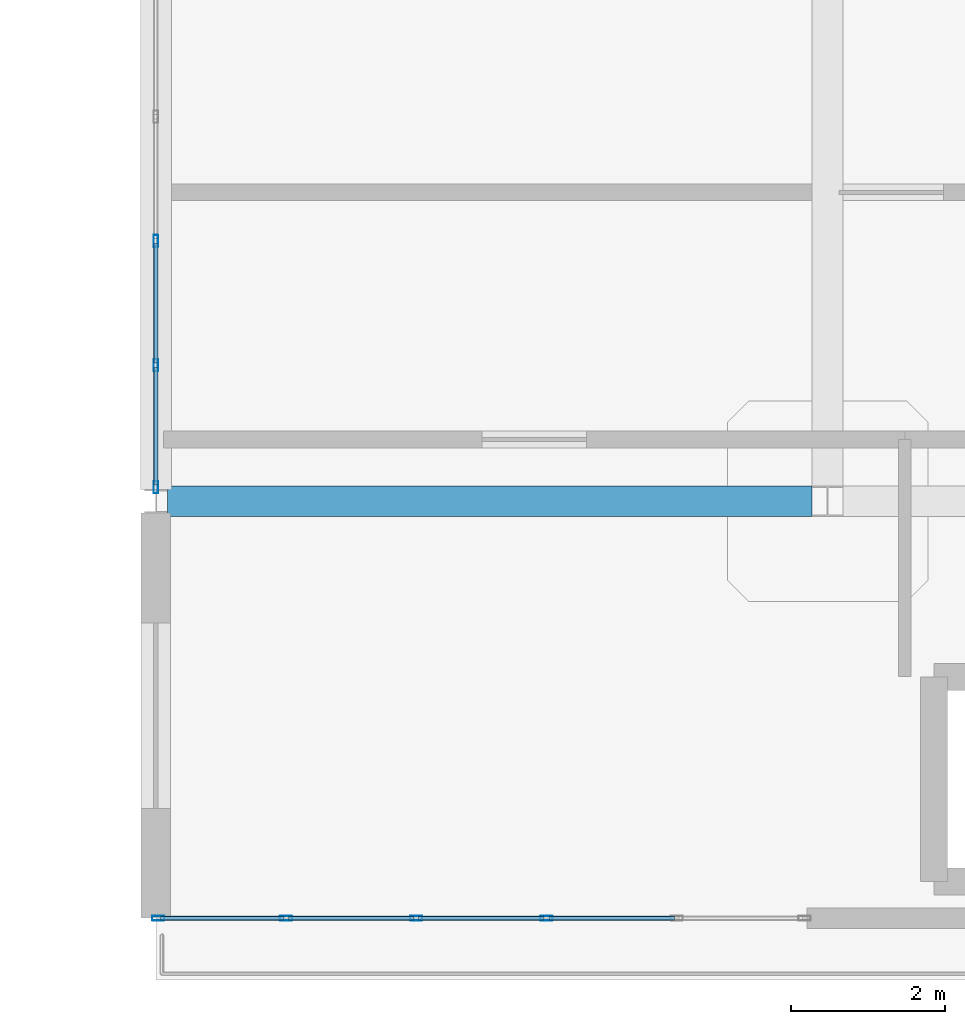
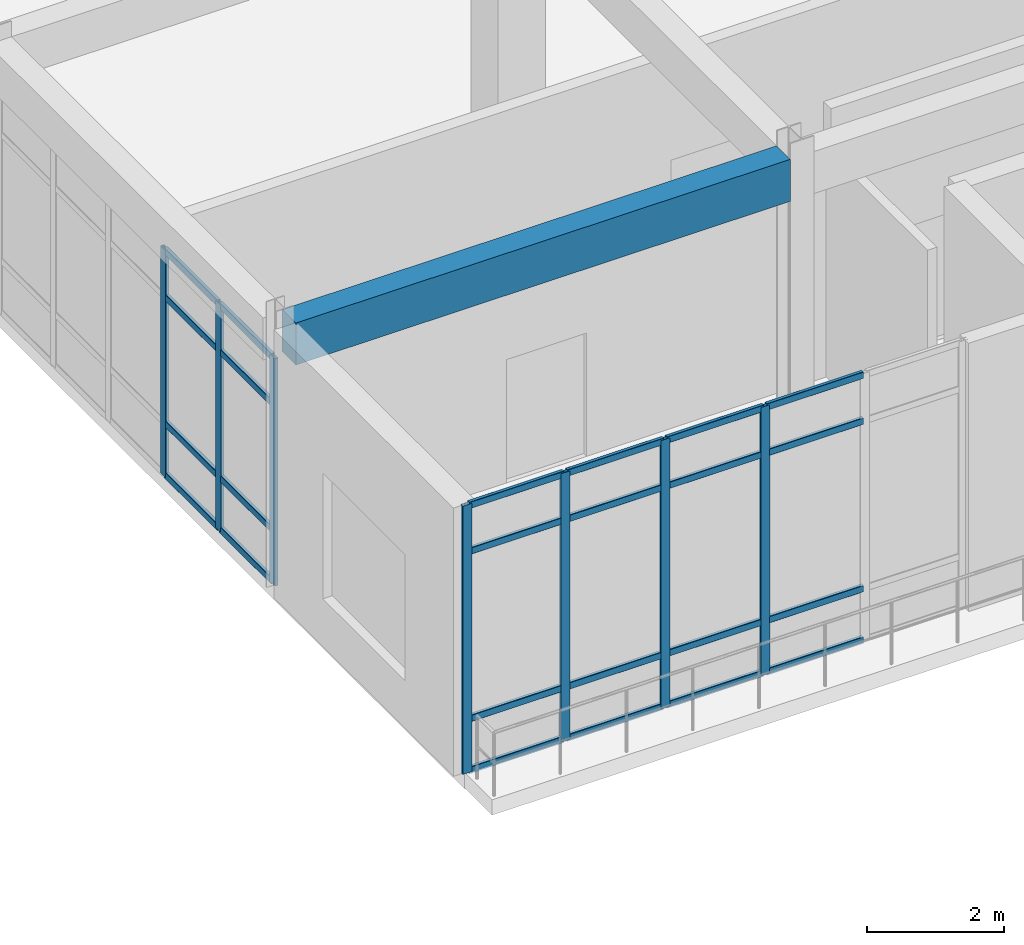
# One storey, part 32 of 96: 31 members, 1 beam, 2 elements without a shape of their own.
"""IFC4 building model written with IfcOpenShell, lengths in metres."""

from ifc_helpers import new_model, si_unit, derived_unit, direction, frame, origin, origin_2d, place, context, subcontext, project, spatial, rectangle, hollow_rectangle, extrude, material, layer, layer_set, material_profile, profile_set, type_object, element, aggregate, save


model = new_model("IFC4")

# Units and contexts
model_context = context("Model", 3, precision=1e-05, world=origin(), true_north=direction((0.0, 1.0)))
body_context = subcontext(model_context, "Body", "Model", "MODEL_VIEW")
ifc_project = project(units=[si_unit("LENGTHUNIT", "METRE"), si_unit("AREAUNIT", "SQUARE_METRE"), si_unit("VOLUMEUNIT", "CUBIC_METRE"), si_unit("PLANEANGLEUNIT", "RADIAN"), si_unit("MASSUNIT", "GRAM", prefix="KILO"), derived_unit("THERMALTRANSMITTANCEUNIT", [(si_unit("MASSUNIT", "GRAM", prefix="KILO"), 1), (si_unit("TIMEUNIT", "SECOND"), -3), (si_unit("THERMODYNAMICTEMPERATUREUNIT", "KELVIN"), -1)])], contexts=[model_context])

# Site, building, storey
site_placement = place(None, origin())
site = spatial("IfcSite", under=ifc_project, at=site_placement, CompositionType="ELEMENT")
building_placement = place(site_placement, origin())
building = spatial("IfcBuilding", under=site, at=building_placement, Name="Qinzheling Arcade Emporium", CompositionType="ELEMENT")
storey_placement = place(building_placement, frame((0.0, 0.0, 21.60009765625)))
storey = spatial("IfcBuildingStorey", under=building, at=storey_placement, Name="L05", CompositionType="ELEMENT", Elevation=21.60009765625)

# Curtain wall, members
ifc_material_1 = material(Name="Anodised aluminium and solar-control double glazing", Category="aluminium")
ifc_layer = layer(ifc_material_1, 0.159912109375, Name="Anodised aluminium and solar-control double glazing", Category="aluminium")
ifc_layer_set = layer_set([ifc_layer], Name="Anodised aluminium and solar-control double glazing")
curtain_wall_type = type_object("IfcCurtainWallType", Name="Food Hall Loggia Curtain Wall", PredefinedType="NOTDEFINED", material=ifc_layer_set)
curtain_wall_1_placement = place(storey_placement, origin())
curtain_wall_1 = element("IfcCurtainWall", 1, at=curtain_wall_1_placement, inside=storey, type_object=curtain_wall_type, Name="Curtain Wall CW-L05-294", PredefinedType="NOTDEFINED")
ifc_material_2 = material(Name="Anodised aluminium 6063-T6", Category="aluminium")
ifc_material_profile_1 = material_profile(ifc_material_2, hollow_rectangle(XDim=0.06005859375, YDim=0.159912109375, WallThickness=0.00390625, InnerFilletRadius=0.00390625, OuterFilletRadius=0.008056640625, at=origin_2d()), Name="RHS 160x60x4", Category="aluminium")
ifc_profile_set_1 = profile_set([ifc_material_profile_1], Name="Anodised aluminium 6063-T6")
member_type_1 = type_object("IfcMemberType", Name="Curtain Wall Mullion RHS160x60", PredefinedType="MULLION", material=ifc_profile_set_1)
member_1_placement = place(storey_placement, frame((126.858642578125, 3.0, 0.0), z_axis=(0.0, 0.0, 1.0), x_axis=(0.0, -1.0, 0.0)))
member_1 = element("IfcMember", 2, at=member_1_placement, type_object=member_type_1, Name="CW04 mullion 3", PredefinedType="MULLION", context=body_context, shape_type="SweptSolid", body=[
    extrude(hollow_rectangle(XDim=0.06005859375, YDim=0.159912109375, WallThickness=0.00390625, InnerFilletRadius=0.00390625, OuterFilletRadius=0.008056640625, at=origin_2d()), origin(), (0.0, 0.0, 1.0), 4.789794921875),
])
member_2_placement = place(storey_placement, frame((125.17236328125, 3.0, 0.0), z_axis=(0.0, 0.0, 1.0), x_axis=(0.0, -1.0, 0.0)))
member_2 = element("IfcMember", 3, at=member_2_placement, type_object=member_type_1, Name="CW04 mullion 4", PredefinedType="MULLION", context=body_context, shape_type="SweptSolid", body=[
    extrude(hollow_rectangle(XDim=0.06005859375, YDim=0.159912109375, WallThickness=0.00390625, InnerFilletRadius=0.00390625, OuterFilletRadius=0.008056640625, at=origin_2d()), origin(), (0.0, 0.0, 1.0), 4.789794921875),
])
member_3_placement = place(storey_placement, frame((123.486083984375, 3.0, 0.0), z_axis=(0.0, 0.0, 1.0), x_axis=(0.0, -1.0, 0.0)))
member_3 = element("IfcMember", 4, at=member_3_placement, type_object=member_type_1, Name="CW04 mullion 5", PredefinedType="MULLION", context=body_context, shape_type="SweptSolid", body=[
    extrude(hollow_rectangle(XDim=0.06005859375, YDim=0.159912109375, WallThickness=0.00390625, InnerFilletRadius=0.00390625, OuterFilletRadius=0.008056640625, at=origin_2d()), origin(), (0.0, 0.0, 1.0), 4.789794921875),
])
member_4_placement = place(storey_placement, frame((121.830078125, 3.0, 0.0), z_axis=(0.0, 0.0, 1.0), x_axis=(0.0, -1.0, 0.0)))
member_4 = element("IfcMember", 5, at=member_4_placement, type_object=member_type_1, Name="CW04 mullion 6", PredefinedType="MULLION", context=body_context, shape_type="SweptSolid", body=[
    extrude(hollow_rectangle(XDim=0.06005859375, YDim=0.159912109375, WallThickness=0.00390625, InnerFilletRadius=0.00390625, OuterFilletRadius=0.008056640625, at=origin_2d()), origin(), (0.0, 0.0, 1.0), 4.789794921875),
])

curtain_wall_2_placement = place(storey_placement, origin())
curtain_wall_2 = element("IfcCurtainWall", 6, at=curtain_wall_2_placement, inside=storey, type_object=curtain_wall_type, Name="Curtain Wall CW-L05-295", PredefinedType="NOTDEFINED")
member_5_placement = place(storey_placement, frame((121.800048828125, 8.58203125, 0.0), z_axis=(0.0, 0.0, 1.0), x_axis=(-1.0, 0.0, 0.0)))
member_5 = element("IfcMember", 7, at=member_5_placement, type_object=member_type_1, Name="CW04 mullion 1", PredefinedType="MULLION", context=body_context, shape_type="SweptSolid", body=[
    extrude(hollow_rectangle(XDim=0.06005859375, YDim=0.159912109375, WallThickness=0.00390625, InnerFilletRadius=0.00390625, OuterFilletRadius=0.008056640625, at=origin_2d()), origin(), (0.0, 0.0, 1.0), 4.054931640625),
])
member_6_placement = place(storey_placement, frame((121.800048828125, 10.1611328125, 0.0), z_axis=(0.0, 0.0, 1.0), x_axis=(-1.0, 0.0, 0.0)))
member_6 = element("IfcMember", 8, at=member_6_placement, type_object=member_type_1, Name="CW04 mullion 2", PredefinedType="MULLION", context=body_context, shape_type="SweptSolid", body=[
    extrude(hollow_rectangle(XDim=0.06005859375, YDim=0.159912109375, WallThickness=0.00390625, InnerFilletRadius=0.00390625, OuterFilletRadius=0.008056640625, at=origin_2d()), origin(), (0.0, 0.0, 1.0), 4.054931640625),
])
member_7_placement = place(storey_placement, frame((121.800048828125, 11.7705078125, 0.0), z_axis=(0.0, 0.0, 1.0), x_axis=(-1.0, 0.0, 0.0)))
member_7 = element("IfcMember", 9, at=member_7_placement, type_object=member_type_1, Name="CW04 mullion 3", PredefinedType="MULLION", context=body_context, shape_type="SweptSolid", body=[
    extrude(hollow_rectangle(XDim=0.06005859375, YDim=0.159912109375, WallThickness=0.00390625, InnerFilletRadius=0.00390625, OuterFilletRadius=0.008056640625, at=origin_2d()), origin(), (0.0, 0.0, 1.0), 4.054931640625),
])

# Member
ifc_material_profile_2 = material_profile(ifc_material_2, hollow_rectangle(XDim=0.06005859375, YDim=0.1201171875, WallThickness=0.00390625, InnerFilletRadius=0.00390625, OuterFilletRadius=0.008056640625, at=origin_2d()), Name="RHS 120x60x4", Category="aluminium")
ifc_profile_set_2 = profile_set([ifc_material_profile_2], Name="Anodised aluminium 6063-T6")
member_type_2 = type_object("IfcMemberType", Name="Curtain Wall Transom RHS120x60", PredefinedType="USERDEFINED", material=ifc_profile_set_2)
member_8_placement = place(storey_placement, frame((128.514892578125, 3.0, 0.02978515625), z_axis=(-1.0, 0.0, 0.0), x_axis=(0.0, -1.0, 0.0)))
member_8 = element("IfcMember", 10, at=member_8_placement, type_object=member_type_2, Name="CW04 transom 2.1", ObjectType="TRANSOM", PredefinedType="USERDEFINED", context=body_context, shape_type="SweptSolid", body=[
    extrude(hollow_rectangle(XDim=0.06005859375, YDim=0.1201171875, WallThickness=0.00390625, InnerFilletRadius=0.00390625, OuterFilletRadius=0.008056640625, at=origin_2d()), origin(), (0.0, 0.0, 1.0), 1.626220703125),
])

member_9_placement = place(storey_placement, frame((128.514892578125, 3.0, 0.949951171875), z_axis=(-1.0, 0.0, 0.0), x_axis=(0.0, -1.0, 0.0)))
member_9 = element("IfcMember", 11, at=member_9_placement, type_object=member_type_2, Name="CW04 transom 2.2", ObjectType="TRANSOM", PredefinedType="USERDEFINED", context=body_context, shape_type="SweptSolid", body=[
    extrude(hollow_rectangle(XDim=0.06005859375, YDim=0.1201171875, WallThickness=0.00390625, InnerFilletRadius=0.00390625, OuterFilletRadius=0.008056640625, at=origin_2d()), origin(), (0.0, 0.0, 1.0), 1.626220703125),
])

member_10_placement = place(storey_placement, frame((128.514892578125, 3.0, 3.93994140625), z_axis=(-1.0, 0.0, 0.0), x_axis=(0.0, -1.0, 0.0)))
member_10 = element("IfcMember", 12, at=member_10_placement, type_object=member_type_2, Name="CW04 transom 2.3", ObjectType="TRANSOM", PredefinedType="USERDEFINED", context=body_context, shape_type="SweptSolid", body=[
    extrude(hollow_rectangle(XDim=0.06005859375, YDim=0.1201171875, WallThickness=0.00390625, InnerFilletRadius=0.00390625, OuterFilletRadius=0.008056640625, at=origin_2d()), origin(), (0.0, 0.0, 1.0), 1.626220703125),
])

member_11_placement = place(storey_placement, frame((128.514892578125, 3.0, 4.760009765625), z_axis=(-1.0, 0.0, 0.0), x_axis=(0.0, -1.0, 0.0)))
member_11 = element("IfcMember", 13, at=member_11_placement, type_object=member_type_2, Name="CW04 transom 2.4", ObjectType="TRANSOM", PredefinedType="USERDEFINED", context=body_context, shape_type="SweptSolid", body=[
    extrude(hollow_rectangle(XDim=0.06005859375, YDim=0.1201171875, WallThickness=0.00390625, InnerFilletRadius=0.00390625, OuterFilletRadius=0.008056640625, at=origin_2d()), origin(), (0.0, 0.0, 1.0), 1.626220703125),
])

member_12_placement = place(storey_placement, frame((126.82861328125, 3.0, 0.02978515625), z_axis=(-1.0, 0.0, 0.0), x_axis=(0.0, -1.0, 0.0)))
member_12 = element("IfcMember", 14, at=member_12_placement, type_object=member_type_2, Name="CW04 transom 3.1", ObjectType="TRANSOM", PredefinedType="USERDEFINED", context=body_context, shape_type="SweptSolid", body=[
    extrude(hollow_rectangle(XDim=0.06005859375, YDim=0.1201171875, WallThickness=0.00390625, InnerFilletRadius=0.00390625, OuterFilletRadius=0.008056640625, at=origin_2d()), origin(), (0.0, 0.0, 1.0), 1.626220703125),
])

member_13_placement = place(storey_placement, frame((126.82861328125, 3.0, 0.949951171875), z_axis=(-1.0, 0.0, 0.0), x_axis=(0.0, -1.0, 0.0)))
member_13 = element("IfcMember", 15, at=member_13_placement, type_object=member_type_2, Name="CW04 transom 3.2", ObjectType="TRANSOM", PredefinedType="USERDEFINED", context=body_context, shape_type="SweptSolid", body=[
    extrude(hollow_rectangle(XDim=0.06005859375, YDim=0.1201171875, WallThickness=0.00390625, InnerFilletRadius=0.00390625, OuterFilletRadius=0.008056640625, at=origin_2d()), origin(), (0.0, 0.0, 1.0), 1.626220703125),
])

member_14_placement = place(storey_placement, frame((126.82861328125, 3.0, 3.93994140625), z_axis=(-1.0, 0.0, 0.0), x_axis=(0.0, -1.0, 0.0)))
member_14 = element("IfcMember", 16, at=member_14_placement, type_object=member_type_2, Name="CW04 transom 3.3", ObjectType="TRANSOM", PredefinedType="USERDEFINED", context=body_context, shape_type="SweptSolid", body=[
    extrude(hollow_rectangle(XDim=0.06005859375, YDim=0.1201171875, WallThickness=0.00390625, InnerFilletRadius=0.00390625, OuterFilletRadius=0.008056640625, at=origin_2d()), origin(), (0.0, 0.0, 1.0), 1.626220703125),
])

member_15_placement = place(storey_placement, frame((126.82861328125, 3.0, 4.760009765625), z_axis=(-1.0, 0.0, 0.0), x_axis=(0.0, -1.0, 0.0)))
member_15 = element("IfcMember", 17, at=member_15_placement, type_object=member_type_2, Name="CW04 transom 3.4", ObjectType="TRANSOM", PredefinedType="USERDEFINED", context=body_context, shape_type="SweptSolid", body=[
    extrude(hollow_rectangle(XDim=0.06005859375, YDim=0.1201171875, WallThickness=0.00390625, InnerFilletRadius=0.00390625, OuterFilletRadius=0.008056640625, at=origin_2d()), origin(), (0.0, 0.0, 1.0), 1.626220703125),
])

member_16_placement = place(storey_placement, frame((125.142333984375, 3.0, 0.02978515625), z_axis=(-1.0, 0.0, 0.0), x_axis=(0.0, -1.0, 0.0)))
member_16 = element("IfcMember", 18, at=member_16_placement, type_object=member_type_2, Name="CW04 transom 4.1", ObjectType="TRANSOM", PredefinedType="USERDEFINED", context=body_context, shape_type="SweptSolid", body=[
    extrude(hollow_rectangle(XDim=0.06005859375, YDim=0.1201171875, WallThickness=0.00390625, InnerFilletRadius=0.00390625, OuterFilletRadius=0.008056640625, at=origin_2d()), origin(), (0.0, 0.0, 1.0), 1.626220703125),
])

member_17_placement = place(storey_placement, frame((125.142333984375, 3.0, 0.949951171875), z_axis=(-1.0, 0.0, 0.0), x_axis=(0.0, -1.0, 0.0)))
member_17 = element("IfcMember", 19, at=member_17_placement, type_object=member_type_2, Name="CW04 transom 4.2", ObjectType="TRANSOM", PredefinedType="USERDEFINED", context=body_context, shape_type="SweptSolid", body=[
    extrude(hollow_rectangle(XDim=0.06005859375, YDim=0.1201171875, WallThickness=0.00390625, InnerFilletRadius=0.00390625, OuterFilletRadius=0.008056640625, at=origin_2d()), origin(), (0.0, 0.0, 1.0), 1.626220703125),
])

member_18_placement = place(storey_placement, frame((125.142333984375, 3.0, 3.93994140625), z_axis=(-1.0, 0.0, 0.0), x_axis=(0.0, -1.0, 0.0)))
member_18 = element("IfcMember", 20, at=member_18_placement, type_object=member_type_2, Name="CW04 transom 4.3", ObjectType="TRANSOM", PredefinedType="USERDEFINED", context=body_context, shape_type="SweptSolid", body=[
    extrude(hollow_rectangle(XDim=0.06005859375, YDim=0.1201171875, WallThickness=0.00390625, InnerFilletRadius=0.00390625, OuterFilletRadius=0.008056640625, at=origin_2d()), origin(), (0.0, 0.0, 1.0), 1.626220703125),
])

member_19_placement = place(storey_placement, frame((125.142333984375, 3.0, 4.760009765625), z_axis=(-1.0, 0.0, 0.0), x_axis=(0.0, -1.0, 0.0)))
member_19 = element("IfcMember", 21, at=member_19_placement, type_object=member_type_2, Name="CW04 transom 4.4", ObjectType="TRANSOM", PredefinedType="USERDEFINED", context=body_context, shape_type="SweptSolid", body=[
    extrude(hollow_rectangle(XDim=0.06005859375, YDim=0.1201171875, WallThickness=0.00390625, InnerFilletRadius=0.00390625, OuterFilletRadius=0.008056640625, at=origin_2d()), origin(), (0.0, 0.0, 1.0), 1.626220703125),
])

member_20_placement = place(storey_placement, frame((123.456298828125, 3.0, 0.02978515625), z_axis=(-1.0, 0.0, 0.0), x_axis=(0.0, -1.0, 0.0)))
member_20 = element("IfcMember", 22, at=member_20_placement, type_object=member_type_2, Name="CW04 transom 5.1", ObjectType="TRANSOM", PredefinedType="USERDEFINED", context=body_context, shape_type="SweptSolid", body=[
    extrude(hollow_rectangle(XDim=0.06005859375, YDim=0.1201171875, WallThickness=0.00390625, InnerFilletRadius=0.00390625, OuterFilletRadius=0.008056640625, at=origin_2d()), origin(), (0.0, 0.0, 1.0), 1.59619140625),
])

member_21_placement = place(storey_placement, frame((123.456298828125, 3.0, 0.949951171875), z_axis=(-1.0, 0.0, 0.0), x_axis=(0.0, -1.0, 0.0)))
member_21 = element("IfcMember", 23, at=member_21_placement, type_object=member_type_2, Name="CW04 transom 5.2", ObjectType="TRANSOM", PredefinedType="USERDEFINED", context=body_context, shape_type="SweptSolid", body=[
    extrude(hollow_rectangle(XDim=0.06005859375, YDim=0.1201171875, WallThickness=0.00390625, InnerFilletRadius=0.00390625, OuterFilletRadius=0.008056640625, at=origin_2d()), origin(), (0.0, 0.0, 1.0), 1.59619140625),
])

member_22_placement = place(storey_placement, frame((123.456298828125, 3.0, 3.93994140625), z_axis=(-1.0, 0.0, 0.0), x_axis=(0.0, -1.0, 0.0)))
member_22 = element("IfcMember", 24, at=member_22_placement, type_object=member_type_2, Name="CW04 transom 5.3", ObjectType="TRANSOM", PredefinedType="USERDEFINED", context=body_context, shape_type="SweptSolid", body=[
    extrude(hollow_rectangle(XDim=0.06005859375, YDim=0.1201171875, WallThickness=0.00390625, InnerFilletRadius=0.00390625, OuterFilletRadius=0.008056640625, at=origin_2d()), origin(), (0.0, 0.0, 1.0), 1.59619140625),
])

member_23_placement = place(storey_placement, frame((123.456298828125, 3.0, 4.760009765625), z_axis=(-1.0, 0.0, 0.0), x_axis=(0.0, -1.0, 0.0)))
member_23 = element("IfcMember", 25, at=member_23_placement, type_object=member_type_2, Name="CW04 transom 5.4", ObjectType="TRANSOM", PredefinedType="USERDEFINED", context=body_context, shape_type="SweptSolid", body=[
    extrude(hollow_rectangle(XDim=0.06005859375, YDim=0.1201171875, WallThickness=0.00390625, InnerFilletRadius=0.00390625, OuterFilletRadius=0.008056640625, at=origin_2d()), origin(), (0.0, 0.0, 1.0), 1.59619140625),
])

aggregate(curtain_wall_1, [member_1, member_2, member_3, member_4, member_8, member_9, member_10, member_11, member_12, member_13, member_14, member_15, member_16, member_17, member_18, member_19, member_20, member_21, member_22, member_23])

member_24_placement = place(storey_placement, frame((121.800048828125, 8.612060546875, 0.02978515625), z_axis=(0.0, 1.0, 0.0), x_axis=(-1.0, 0.0, 0.0)))
member_24 = element("IfcMember", 26, at=member_24_placement, type_object=member_type_2, Name="CW04 transom 1.1", ObjectType="TRANSOM", PredefinedType="USERDEFINED", context=body_context, shape_type="SweptSolid", body=[
    extrude(hollow_rectangle(XDim=0.06005859375, YDim=0.1201171875, WallThickness=0.00390625, InnerFilletRadius=0.00390625, OuterFilletRadius=0.008056640625, at=origin_2d()), origin(), (0.0, 0.0, 1.0), 1.51904296875),
])

member_25_placement = place(storey_placement, frame((121.800048828125, 8.612060546875, 0.949951171875), z_axis=(0.0, 1.0, 0.0), x_axis=(-1.0, 0.0, 0.0)))
member_25 = element("IfcMember", 27, at=member_25_placement, type_object=member_type_2, Name="CW04 transom 1.2", ObjectType="TRANSOM", PredefinedType="USERDEFINED", context=body_context, shape_type="SweptSolid", body=[
    extrude(hollow_rectangle(XDim=0.06005859375, YDim=0.1201171875, WallThickness=0.00390625, InnerFilletRadius=0.00390625, OuterFilletRadius=0.008056640625, at=origin_2d()), origin(), (0.0, 0.0, 1.0), 1.51904296875),
])

member_26_placement = place(storey_placement, frame((121.800048828125, 8.612060546875, 3.204833984375), z_axis=(0.0, 1.0, 0.0), x_axis=(-1.0, 0.0, 0.0)))
member_26 = element("IfcMember", 28, at=member_26_placement, type_object=member_type_2, Name="CW04 transom 1.3", ObjectType="TRANSOM", PredefinedType="USERDEFINED", context=body_context, shape_type="SweptSolid", body=[
    extrude(hollow_rectangle(XDim=0.06005859375, YDim=0.1201171875, WallThickness=0.00390625, InnerFilletRadius=0.00390625, OuterFilletRadius=0.008056640625, at=origin_2d()), origin(), (0.0, 0.0, 1.0), 1.51904296875),
])

member_27_placement = place(storey_placement, frame((121.800048828125, 8.612060546875, 4.02490234375), z_axis=(0.0, 1.0, 0.0), x_axis=(-1.0, 0.0, 0.0)))
member_27 = element("IfcMember", 29, at=member_27_placement, type_object=member_type_2, Name="CW04 transom 1.4", ObjectType="TRANSOM", PredefinedType="USERDEFINED", context=body_context, shape_type="SweptSolid", body=[
    extrude(hollow_rectangle(XDim=0.06005859375, YDim=0.1201171875, WallThickness=0.00390625, InnerFilletRadius=0.00390625, OuterFilletRadius=0.008056640625, at=origin_2d()), origin(), (0.0, 0.0, 1.0), 1.51904296875),
])

member_28_placement = place(storey_placement, frame((121.800048828125, 10.191162109375, 0.02978515625), z_axis=(0.0, 1.0, 0.0), x_axis=(-1.0, 0.0, 0.0)))
member_28 = element("IfcMember", 30, at=member_28_placement, type_object=member_type_2, Name="CW04 transom 2.1", ObjectType="TRANSOM", PredefinedType="USERDEFINED", context=body_context, shape_type="SweptSolid", body=[
    extrude(hollow_rectangle(XDim=0.06005859375, YDim=0.1201171875, WallThickness=0.00390625, InnerFilletRadius=0.00390625, OuterFilletRadius=0.008056640625, at=origin_2d()), origin(), (0.0, 0.0, 1.0), 1.54931640625),
])

member_29_placement = place(storey_placement, frame((121.800048828125, 10.191162109375, 0.949951171875), z_axis=(0.0, 1.0, 0.0), x_axis=(-1.0, 0.0, 0.0)))
member_29 = element("IfcMember", 31, at=member_29_placement, type_object=member_type_2, Name="CW04 transom 2.2", ObjectType="TRANSOM", PredefinedType="USERDEFINED", context=body_context, shape_type="SweptSolid", body=[
    extrude(hollow_rectangle(XDim=0.06005859375, YDim=0.1201171875, WallThickness=0.00390625, InnerFilletRadius=0.00390625, OuterFilletRadius=0.008056640625, at=origin_2d()), origin(), (0.0, 0.0, 1.0), 1.54931640625),
])

member_30_placement = place(storey_placement, frame((121.800048828125, 10.191162109375, 3.204833984375), z_axis=(0.0, 1.0, 0.0), x_axis=(-1.0, 0.0, 0.0)))
member_30 = element("IfcMember", 32, at=member_30_placement, type_object=member_type_2, Name="CW04 transom 2.3", ObjectType="TRANSOM", PredefinedType="USERDEFINED", context=body_context, shape_type="SweptSolid", body=[
    extrude(hollow_rectangle(XDim=0.06005859375, YDim=0.1201171875, WallThickness=0.00390625, InnerFilletRadius=0.00390625, OuterFilletRadius=0.008056640625, at=origin_2d()), origin(), (0.0, 0.0, 1.0), 1.54931640625),
])

member_31_placement = place(storey_placement, frame((121.800048828125, 10.191162109375, 4.02490234375), z_axis=(0.0, 1.0, 0.0), x_axis=(-1.0, 0.0, 0.0)))
member_31 = element("IfcMember", 33, at=member_31_placement, type_object=member_type_2, Name="CW04 transom 2.4", ObjectType="TRANSOM", PredefinedType="USERDEFINED", context=body_context, shape_type="SweptSolid", body=[
    extrude(hollow_rectangle(XDim=0.06005859375, YDim=0.1201171875, WallThickness=0.00390625, InnerFilletRadius=0.00390625, OuterFilletRadius=0.008056640625, at=origin_2d()), origin(), (0.0, 0.0, 1.0), 1.54931640625),
])

aggregate(curtain_wall_2, [member_5, member_6, member_7, member_24, member_25, member_26, member_27, member_28, member_29, member_30, member_31])

# Beam
ifc_material_3 = material(Name="Concrete C40", Category="concrete")
ifc_material_profile_3 = material_profile(ifc_material_3, rectangle(XDim=0.39990234375, YDim=0.75, at=origin_2d()), Name="RC 400x750", Category="concrete")
ifc_profile_set_3 = profile_set([ifc_material_profile_3], Name="Concrete C40")
beam_type = type_object("IfcBeamType", Name="RC Interior Tie Beam 400x750 C40", PredefinedType="BEAM", material=ifc_profile_set_3)
beam_placement = place(storey_placement, frame((121.949951171875, 8.39990234375, 4.44482421875), z_axis=(1.0, 0.0, 0.0), x_axis=(0.0, 1.0, 0.0)))
element("IfcBeam", 34, at=beam_placement, inside=storey, type_object=beam_type, Name="Beam BM-L05-X-B-15", PredefinedType="BEAM", context=body_context, shape_type="SweptSolid", body=[
    extrude(rectangle(XDim=0.39990234375, YDim=0.75, at=origin_2d()), origin(), (0.0, 0.0, 1.0), 8.35009765625),
])

save(model, "model.ifc")
